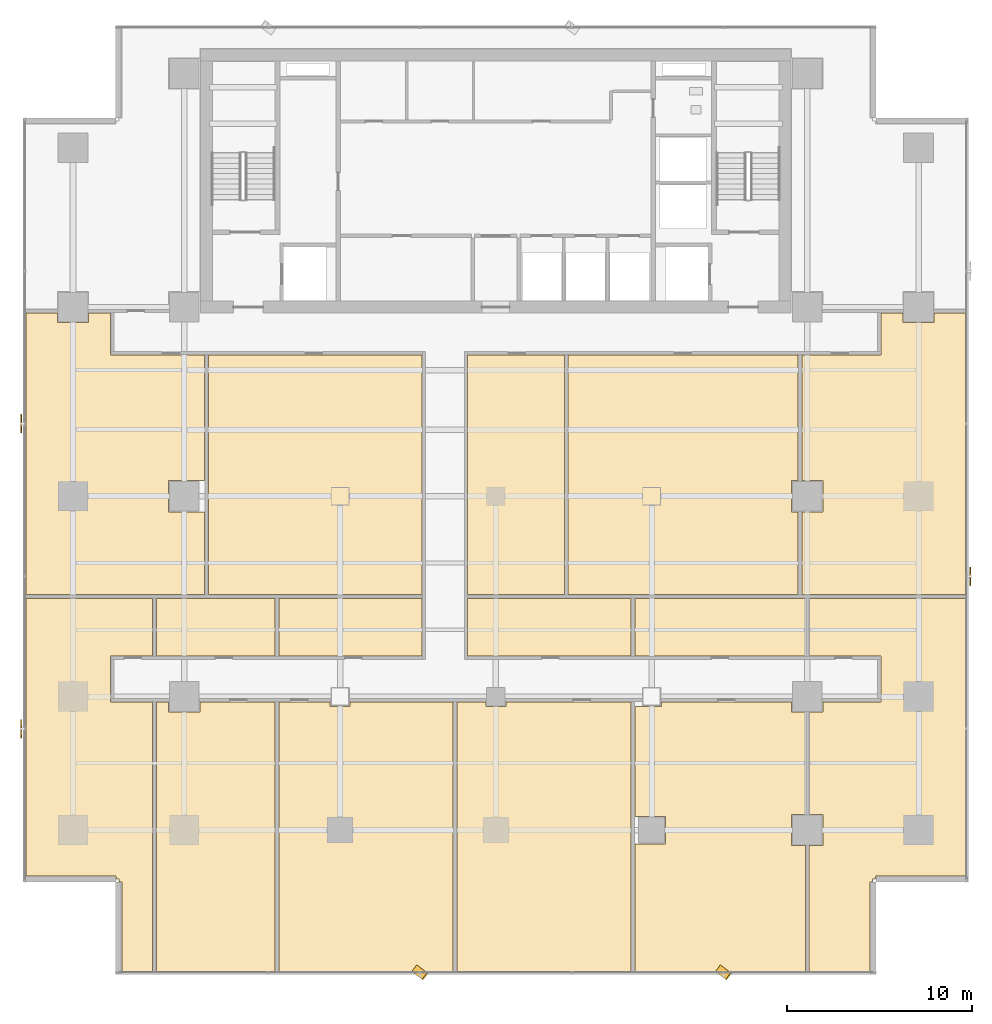
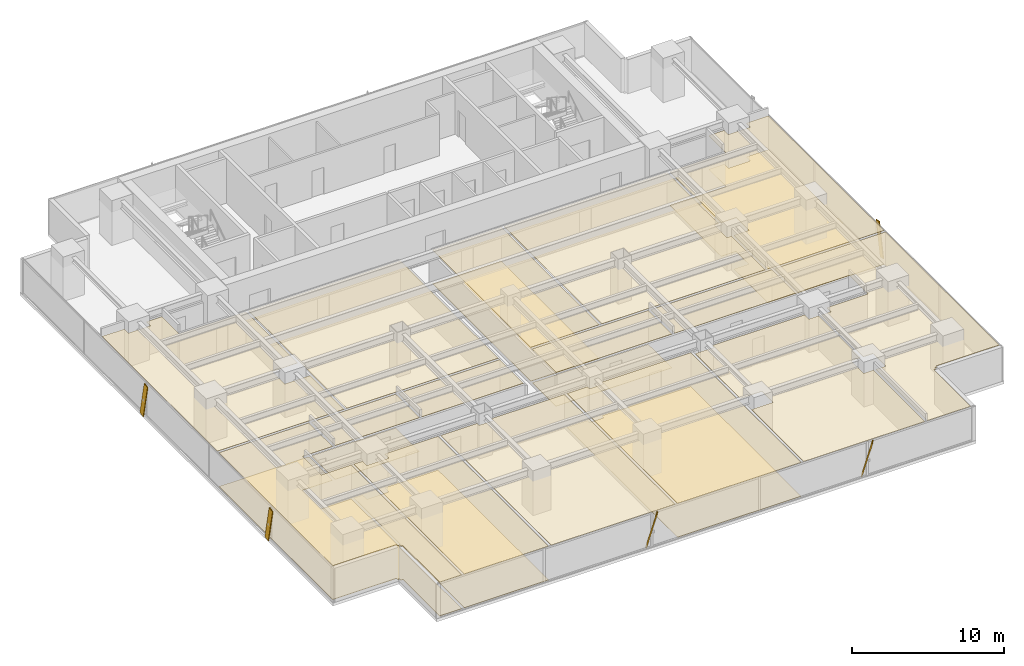
# One storey, part 33 of 37: 22 coverings, 5 shading devices.
"""IFC4 building model written with IfcOpenShell, lengths in metres."""

from ifc_helpers import new_model, si_unit, direction, frame, origin, origin_2d, place, context, subcontext, project, spatial, polyline, rectangle, outline, extrude, source, transform, mapped, material, layer, layer_set, material_profile, profile_set, type_object, element, save


model = new_model("IFC4")

# Units and contexts
model_context = context("Model", 3, precision=1e-05, world=origin(), true_north=direction((0.0, 1.0)))
body_context = subcontext(model_context, "Body", "Model", "MODEL_VIEW")
ifc_project = project(units=[si_unit("LENGTHUNIT", "METRE"), si_unit("AREAUNIT", "SQUARE_METRE"), si_unit("VOLUMEUNIT", "CUBIC_METRE"), si_unit("PLANEANGLEUNIT", "RADIAN"), si_unit("MASSUNIT", "GRAM", prefix="KILO")], contexts=[model_context])

# Site, building, storey
site_placement = place(None, origin())
site = spatial("IfcSite", under=ifc_project, at=site_placement, CompositionType="ELEMENT")
building_placement = place(site_placement, origin())
building = spatial("IfcBuilding", under=site, at=building_placement, Name="Sumidabori Civic Tower", CompositionType="ELEMENT")
storey_placement = place(building_placement, frame((0.0, 0.0, 110.0)))
storey = spatial("IfcBuildingStorey", under=building, at=storey_placement, Name="L28", CompositionType="ELEMENT", Elevation=110.0)

# Coverings
ifc_material_1 = material(Name="Acoustic Mineral Gypsum Ceiling Tile")
ifc_layer_1 = layer(ifc_material_1, 0.034912109375, Name="Acoustic Mineral Gypsum Ceiling Tile")
ifc_layer_set_1 = layer_set([ifc_layer_1], Name="Acoustic Mineral Gypsum Ceiling Tile")
covering_type_1 = type_object("IfcCoveringType", Name="CV-CEIL-AC1", PredefinedType="CEILING", material=ifc_layer_set_1)
covering_1_placement = place(storey_placement, frame((0.0, 0.0, 2.7099609375)))
element("IfcCovering", 1, at=covering_1_placement, inside=storey, type_object=covering_type_1, Name="Room Acoustic Ceiling L28-02", PredefinedType="CEILING", context=body_context, shape_type="SweptSolid", body=[
    extrude(outline(polyline([(-20.784912109375, 7.614990234375), (-15.702392578125, 7.614990234375), (-15.702392578125, 0.840087890625), (-17.639892578125, 0.840087890625), (-17.639892578125, -0.840087890625), (-15.702392578125, -0.840087890625), (-15.702392578125, -5.297607421875), (-25.330078125, -5.297607421875), (-25.330078125, 9.8974609375), (-23.639892578125, 9.8974609375), (-23.639892578125, 9.360107421875), (-21.9599609375, 9.360107421875), (-21.9599609375, 9.8974609375), (-20.784912109375, 9.8974609375), (-20.784912109375, 7.614990234375)])), origin(), (0.0, 0.0, 1.0), 0.03515625),
])
covering_2_placement = place(storey_placement, frame((0.0, 0.0, 2.7099609375)))
element("IfcCovering", 2, at=covering_2_placement, inside=storey, type_object=covering_type_1, Name="Room Acoustic Ceiling L28-03", PredefinedType="CEILING", context=body_context, shape_type="SweptSolid", body=[
    extrude(outline(polyline([(16.50244140625, -0.840087890625), (17.639892578125, -0.840087890625), (17.639892578125, 0.840087890625), (16.50244140625, 0.840087890625), (16.50244140625, 7.614990234375), (20.784912109375, 7.614990234375), (20.784912109375, 9.8974609375), (21.9599609375, 9.8974609375), (21.9599609375, 9.360107421875), (23.639892578125, 9.360107421875), (23.639892578125, 9.8974609375), (25.330078125, 9.8974609375), (25.330078125, -5.297607421875), (16.50244140625, -5.297607421875), (16.50244140625, -0.840087890625)])), origin(), (0.0, 0.0, 1.0), 0.03515625),
])
covering_3_placement = place(storey_placement, frame((0.0, 0.0, 2.7099609375)))
element("IfcCovering", 3, at=covering_3_placement, inside=storey, type_object=covering_type_1, Name="Room Acoustic Ceiling L28-04", PredefinedType="CEILING", context=body_context, shape_type="SweptSolid", body=[
    extrude(outline(polyline([(-15.49755859375, 7.614990234375), (-3.985107421875, 7.614990234375), (-3.985107421875, -5.297607421875), (-15.49755859375, -5.297607421875), (-15.49755859375, 7.614990234375)])), origin(), (0.0, 0.0, 1.0), 0.03515625),
])
covering_4_placement = place(storey_placement, frame((0.0, 0.0, 2.7099609375)))
element("IfcCovering", 4, at=covering_4_placement, inside=storey, type_object=covering_type_1, Name="Room Acoustic Ceiling L28-05", PredefinedType="CEILING", context=body_context, shape_type="SweptSolid", body=[
    extrude(outline(polyline([(-1.514892578125, 7.614990234375), (3.697509765625, 7.614990234375), (3.697509765625, -5.297607421875), (-1.514892578125, -5.297607421875), (-1.514892578125, 7.614990234375)])), origin(), (0.0, 0.0, 1.0), 0.03515625),
])
covering_5_placement = place(storey_placement, frame((0.0, 0.0, 2.7099609375)))
element("IfcCovering", 5, at=covering_5_placement, inside=storey, type_object=covering_type_1, Name="Room Acoustic Ceiling L28-06", PredefinedType="CEILING", context=body_context, shape_type="SweptSolid", body=[
    extrude(outline(polyline([(3.902587890625, 7.614990234375), (16.297607421875, 7.614990234375), (16.297607421875, 0.840087890625), (15.9599609375, 0.840087890625), (15.9599609375, -0.840087890625), (16.297607421875, -0.840087890625), (16.297607421875, -5.297607421875), (3.902587890625, -5.297607421875), (3.902587890625, 7.614990234375)])), origin(), (0.0, 0.0, 1.0), 0.03515625),
])
covering_6_placement = place(storey_placement, frame((0.0, 0.0, 2.7099609375)))
element("IfcCovering", 6, at=covering_6_placement, inside=storey, type_object=covering_type_1, Name="Room Acoustic Ceiling L28-07", PredefinedType="CEILING", context=body_context, shape_type="SweptSolid", body=[
    extrude(outline(polyline([(-18.297607421875, -8.614990234375), (-18.297607421875, -5.50244140625), (-11.902587890625, -5.50244140625), (-11.902587890625, -8.614990234375), (-18.297607421875, -8.614990234375)])), origin(), (0.0, 0.0, 1.0), 0.03515625),
])
covering_7_placement = place(storey_placement, frame((0.0, 0.0, 2.7099609375)))
element("IfcCovering", 7, at=covering_7_placement, inside=storey, type_object=covering_type_1, Name="Room Acoustic Ceiling L28-08", PredefinedType="CEILING", context=body_context, shape_type="SweptSolid", body=[
    extrude(outline(polyline([(-3.985107421875, -8.614990234375), (-11.697509765625, -8.614990234375), (-11.697509765625, -5.50244140625), (-3.985107421875, -5.50244140625), (-3.985107421875, -8.614990234375)])), origin(), (0.0, 0.0, 1.0), 0.03515625),
])
covering_8_placement = place(storey_placement, frame((0.0, 0.0, 2.7099609375)))
element("IfcCovering", 8, at=covering_8_placement, inside=storey, type_object=covering_type_1, Name="Room Acoustic Ceiling L28-09", PredefinedType="CEILING", context=body_context, shape_type="SweptSolid", body=[
    extrude(outline(polyline([(-1.514892578125, -8.614990234375), (-1.514892578125, -5.50244140625), (7.297607421875, -5.50244140625), (7.297607421875, -8.614990234375), (-1.514892578125, -8.614990234375)])), origin(), (0.0, 0.0, 1.0), 0.03515625),
])
covering_9_placement = place(storey_placement, frame((0.0, 0.0, 2.7099609375)))
element("IfcCovering", 9, at=covering_9_placement, inside=storey, type_object=covering_type_1, Name="Room Acoustic Ceiling L28-10", PredefinedType="CEILING", context=body_context, shape_type="SweptSolid", body=[
    extrude(outline(polyline([(7.50244140625, -8.614990234375), (7.50244140625, -5.50244140625), (16.697509765625, -5.50244140625), (16.697509765625, -8.614990234375), (7.50244140625, -8.614990234375)])), origin(), (0.0, 0.0, 1.0), 0.03515625),
])
covering_10_placement = place(storey_placement, frame((0.0, 0.0, 2.7099609375)))
element("IfcCovering", 10, at=covering_10_placement, inside=storey, type_object=covering_type_1, Name="Room Acoustic Ceiling L28-11", PredefinedType="CEILING", context=body_context, shape_type="SweptSolid", body=[
    extrude(outline(polyline([(-25.330078125, -20.471923828125), (-25.330078125, -5.50244140625), (-18.50244140625, -5.50244140625), (-18.50244140625, -8.614990234375), (-20.784912109375, -8.614990234375), (-20.784912109375, -11.0849609375), (-18.50244140625, -11.0849609375), (-18.50244140625, -25.6298828125), (-20.172119140625, -25.6298828125), (-20.172119140625, -20.7919921875), (-20.330078125, -20.7919921875), (-20.330078125, -20.6298828125), (-20.491943359375, -20.6298828125), (-20.491943359375, -20.471923828125), (-25.330078125, -20.471923828125)])), origin(), (0.0, 0.0, 1.0), 0.03515625),
])
covering_11_placement = place(storey_placement, frame((0.0, 0.0, 2.7099609375)))
element("IfcCovering", 11, at=covering_11_placement, inside=storey, type_object=covering_type_1, Name="Room Acoustic Ceiling L28-12", PredefinedType="CEILING", context=body_context, shape_type="SweptSolid", body=[
    extrude(outline(polyline([(16.902587890625, -18.840087890625), (17.639892578125, -18.840087890625), (17.639892578125, -17.159912109375), (16.902587890625, -17.159912109375), (16.902587890625, -11.639892578125), (17.639892578125, -11.639892578125), (17.639892578125, -11.0849609375), (20.784912109375, -11.0849609375), (20.784912109375, -8.614990234375), (16.902587890625, -8.614990234375), (16.902587890625, -5.50244140625), (25.330078125, -5.50244140625), (25.330078125, -20.471923828125), (20.491943359375, -20.471923828125), (20.491943359375, -20.6298828125), (20.330078125, -20.6298828125), (20.330078125, -20.7919921875), (20.172119140625, -20.7919921875), (20.172119140625, -25.6298828125), (16.902587890625, -25.6298828125), (16.902587890625, -18.840087890625)])), origin(), (0.0, 0.0, 1.0), 0.03515625),
])
covering_12_placement = place(storey_placement, frame((0.0, 0.0, 2.7099609375)))
element("IfcCovering", 12, at=covering_12_placement, inside=storey, type_object=covering_type_1, Name="Room Acoustic Ceiling L28-13", PredefinedType="CEILING", context=body_context, shape_type="SweptSolid", body=[
    extrude(outline(polyline([(-18.297607421875, -11.0849609375), (-17.639892578125, -11.0849609375), (-17.639892578125, -11.639892578125), (-15.9599609375, -11.639892578125), (-15.9599609375, -11.0849609375), (-11.902587890625, -11.0849609375), (-11.902587890625, -25.6298828125), (-18.297607421875, -25.6298828125), (-18.297607421875, -11.0849609375)])), origin(), (0.0, 0.0, 1.0), 0.03515625),
])
covering_13_placement = place(storey_placement, frame((0.0, 0.0, 2.7099609375)))
element("IfcCovering", 13, at=covering_13_placement, inside=storey, type_object=covering_type_1, Name="Room Acoustic Ceiling L28-14", PredefinedType="CEILING", context=body_context, shape_type="SweptSolid", body=[
    extrude(outline(polyline([(-11.697509765625, -11.0849609375), (-8.93994140625, -11.0849609375), (-8.93994140625, -11.340087890625), (-7.860107421875, -11.340087890625), (-7.860107421875, -11.0849609375), (-2.302490234375, -11.0849609375), (-2.302490234375, -25.6298828125), (-11.697509765625, -25.6298828125), (-11.697509765625, -11.0849609375)])), origin(), (0.0, 0.0, 1.0), 0.03515625),
])
covering_14_placement = place(storey_placement, frame((0.0, 0.0, 2.7099609375)))
element("IfcCovering", 14, at=covering_14_placement, inside=storey, type_object=covering_type_1, Name="Room Acoustic Ceiling L28-15", PredefinedType="CEILING", context=body_context, shape_type="SweptSolid", body=[
    extrude(outline(polyline([(-2.097412109375, -11.0849609375), (-0.5400390625, -11.0849609375), (-0.5400390625, -11.340087890625), (0.5400390625, -11.340087890625), (0.5400390625, -11.0849609375), (7.297607421875, -11.0849609375), (7.297607421875, -25.6298828125), (-2.097412109375, -25.6298828125), (-2.097412109375, -11.0849609375)])), origin(), (0.0, 0.0, 1.0), 0.03515625),
])
covering_15_placement = place(storey_placement, frame((0.0, 0.0, 2.7099609375)))
element("IfcCovering", 15, at=covering_15_placement, inside=storey, type_object=covering_type_1, Name="Room Acoustic Ceiling L28-16", PredefinedType="CEILING", context=body_context, shape_type="SweptSolid", body=[
    extrude(outline(polyline([(7.50244140625, -18.739990234375), (9.139892578125, -18.739990234375), (9.139892578125, -17.260009765625), (7.50244140625, -17.260009765625), (7.50244140625, -11.340087890625), (8.93994140625, -11.340087890625), (8.93994140625, -11.0849609375), (15.9599609375, -11.0849609375), (15.9599609375, -11.639892578125), (16.697509765625, -11.639892578125), (16.697509765625, -17.159912109375), (15.9599609375, -17.159912109375), (15.9599609375, -18.840087890625), (16.697509765625, -18.840087890625), (16.697509765625, -25.6298828125), (7.50244140625, -25.6298828125), (7.50244140625, -18.739990234375)])), origin(), (0.0, 0.0, 1.0), 0.03515625),
])
ifc_material_2 = material(Name="Honed Terrazzo Tile Flooring")
ifc_layer_2 = layer(ifc_material_2, 0.030029296875, Name="Honed Terrazzo Tile Flooring")
ifc_layer_set_2 = layer_set([ifc_layer_2], Name="Honed Terrazzo Tile Flooring")
covering_type_2 = type_object("IfcCoveringType", Name="CV-FLR-TER", PredefinedType="FLOORING", material=ifc_layer_set_2)
covering_16_placement = place(storey_placement, origin())
element("IfcCovering", 16, at=covering_16_placement, inside=storey, type_object=covering_type_2, Name="Room Terrazzo Floor L28-03", PredefinedType="FLOORING", context=body_context, shape_type="SweptSolid", body=[
    extrude(outline(polyline([(16.50244140625, -0.840087890625), (17.639892578125, -0.840087890625), (17.639892578125, 0.840087890625), (16.50244140625, 0.840087890625), (16.50244140625, 7.614990234375), (20.784912109375, 7.614990234375), (20.784912109375, 9.8974609375), (21.9599609375, 9.8974609375), (21.9599609375, 9.360107421875), (23.639892578125, 9.360107421875), (23.639892578125, 9.8974609375), (25.330078125, 9.8974609375), (25.330078125, -5.297607421875), (16.50244140625, -5.297607421875), (16.50244140625, -0.840087890625)])), origin(), (0.0, 0.0, 1.0), 0.030029296875),
])
covering_17_placement = place(storey_placement, origin())
element("IfcCovering", 17, at=covering_17_placement, inside=storey, type_object=covering_type_2, Name="Room Terrazzo Floor L28-05", PredefinedType="FLOORING", context=body_context, shape_type="SweptSolid", body=[
    extrude(outline(polyline([(-1.514892578125, 7.614990234375), (3.697509765625, 7.614990234375), (3.697509765625, -5.297607421875), (-1.514892578125, -5.297607421875), (-1.514892578125, 7.614990234375)])), origin(), (0.0, 0.0, 1.0), 0.030029296875),
])
covering_18_placement = place(storey_placement, origin())
element("IfcCovering", 18, at=covering_18_placement, inside=storey, type_object=covering_type_2, Name="Room Terrazzo Floor L28-07", PredefinedType="FLOORING", context=body_context, shape_type="SweptSolid", body=[
    extrude(outline(polyline([(-18.297607421875, -8.614990234375), (-18.297607421875, -5.50244140625), (-11.902587890625, -5.50244140625), (-11.902587890625, -8.614990234375), (-18.297607421875, -8.614990234375)])), origin(), (0.0, 0.0, 1.0), 0.030029296875),
])
covering_19_placement = place(storey_placement, origin())
element("IfcCovering", 19, at=covering_19_placement, inside=storey, type_object=covering_type_2, Name="Room Terrazzo Floor L28-09", PredefinedType="FLOORING", context=body_context, shape_type="SweptSolid", body=[
    extrude(outline(polyline([(-1.514892578125, -8.614990234375), (-1.514892578125, -5.50244140625), (7.297607421875, -5.50244140625), (7.297607421875, -8.614990234375), (-1.514892578125, -8.614990234375)])), origin(), (0.0, 0.0, 1.0), 0.030029296875),
])
covering_20_placement = place(storey_placement, origin())
element("IfcCovering", 20, at=covering_20_placement, inside=storey, type_object=covering_type_2, Name="Room Terrazzo Floor L28-11", PredefinedType="FLOORING", context=body_context, shape_type="SweptSolid", body=[
    extrude(outline(polyline([(-25.330078125, -20.471923828125), (-25.330078125, -5.50244140625), (-18.50244140625, -5.50244140625), (-18.50244140625, -8.614990234375), (-20.784912109375, -8.614990234375), (-20.784912109375, -11.0849609375), (-18.50244140625, -11.0849609375), (-18.50244140625, -25.6298828125), (-20.172119140625, -25.6298828125), (-20.172119140625, -20.7919921875), (-20.330078125, -20.7919921875), (-20.330078125, -20.6298828125), (-20.491943359375, -20.6298828125), (-20.491943359375, -20.471923828125), (-25.330078125, -20.471923828125)])), origin(), (0.0, 0.0, 1.0), 0.030029296875),
])
covering_21_placement = place(storey_placement, origin())
element("IfcCovering", 21, at=covering_21_placement, inside=storey, type_object=covering_type_2, Name="Room Terrazzo Floor L28-13", PredefinedType="FLOORING", context=body_context, shape_type="SweptSolid", body=[
    extrude(outline(polyline([(-18.297607421875, -11.0849609375), (-17.639892578125, -11.0849609375), (-17.639892578125, -11.639892578125), (-15.9599609375, -11.639892578125), (-15.9599609375, -11.0849609375), (-11.902587890625, -11.0849609375), (-11.902587890625, -25.6298828125), (-18.297607421875, -25.6298828125), (-18.297607421875, -11.0849609375)])), origin(), (0.0, 0.0, 1.0), 0.030029296875),
])
covering_22_placement = place(storey_placement, origin())
element("IfcCovering", 22, at=covering_22_placement, inside=storey, type_object=covering_type_2, Name="Room Terrazzo Floor L28-15", PredefinedType="FLOORING", context=body_context, shape_type="SweptSolid", body=[
    extrude(outline(polyline([(-2.097412109375, -11.0849609375), (-0.5400390625, -11.0849609375), (-0.5400390625, -11.340087890625), (0.5400390625, -11.340087890625), (0.5400390625, -11.0849609375), (7.297607421875, -11.0849609375), (7.297607421875, -25.6298828125), (-2.097412109375, -25.6298828125), (-2.097412109375, -11.0849609375)])), origin(), (0.0, 0.0, 1.0), 0.030029296875),
])

# Shading devices
ifc_material_3 = material(Name="Anodised Bronze Aluminium AW-6063-T6", Category="aluminium")
ifc_material_profile = material_profile(ifc_material_3, rectangle(XDim=0.06005859375, YDim=0.449951171875, at=origin_2d()), Name="BRONZE FIN 450x60")
ifc_profile_set = profile_set([ifc_material_profile], Name="Anodised Bronze Aluminium AW-6063-T6")
shading_device_type = type_object("IfcShadingDeviceType", Name="SH-FIN-450", PredefinedType="USERDEFINED", material=ifc_profile_set)
shared_shape_1 = source(origin(), body_context, "Body", "SweptSolid", [
    extrude(rectangle(XDim=0.06005859375, YDim=0.449951171875, at=origin_2d()), origin(), (0.0, 0.0, 1.0), 2.769775390625),
])
for number, where, z_axis, x_axis, name in (
    (23, (-4.3740234375, -25.469970703125, 0.02001953125), (0.202198633998, -0.151604904305, 0.967538973582), (0.774112159528, -0.58041539424, -0.252721852241), "Bronze Anodised Diagonal Fin L28-02"),
    (24, (12.001953125, -25.469970703125, 0.02001953125), (0.202198633998, -0.151604904305, 0.967538973582), (0.774112159528, -0.58041539424, -0.252721852241), "Bronze Anodised Diagonal Fin L28-04"),
):
    element("IfcShadingDevice", number, at=place(storey_placement, frame(where, z_axis=z_axis, x_axis=x_axis)), inside=storey, type_object=shading_device_type, Name=name, ObjectType="FIN", PredefinedType="USERDEFINED", context=body_context, shape_type="MappedRepresentation", body=[
        mapped(shared_shape_1, transform((0.0, 0.0, 0.0), x_axis=(1.0, 0.0, 0.0), y_axis=(0.0, 1.0, 0.0), z_axis=(0.0, 0.0, 1.0), scale=1.0)),
    ])
shared_shape_2 = source(origin(), body_context, "Body", "SweptSolid", [
    extrude(rectangle(XDim=0.06005859375, YDim=0.449951171875, at=origin_2d()), origin(), (0.0, 0.0, 1.0), 2.73779296875),
])
for number, where, z_axis, x_axis, name in (
    (25, (25.590087890625, -4.593994140625, 0.02001953125), (0.0, 0.204563143937, 0.978853370093), (-1.0, 0.0, 0.0), "Bronze Anodised Diagonal Fin L28-02"),
    (26, (-25.590087890625, 4.194091796875, 0.02001953125), (0.0, -0.204563143937, 0.978853370093), (-1.0, 0.0, 0.0), "Bronze Anodised Diagonal Fin L28-02"),
    (27, (-25.590087890625, -12.261962890625, 0.02001953125), (0.0, -0.204563143937, 0.978853370093), (-1.0, 0.0, 0.0), "Bronze Anodised Diagonal Fin L28-04"),
):
    element("IfcShadingDevice", number, at=place(storey_placement, frame(where, z_axis=z_axis, x_axis=x_axis)), inside=storey, type_object=shading_device_type, Name=name, ObjectType="FIN", PredefinedType="USERDEFINED", context=body_context, shape_type="MappedRepresentation", body=[
        mapped(shared_shape_2, transform((0.0, 0.0, 0.0), x_axis=(1.0, 0.0, 0.0), y_axis=(0.0, 1.0, 0.0), z_axis=(0.0, 0.0, 1.0), scale=1.0)),
    ])

save(model, "model.ifc")
